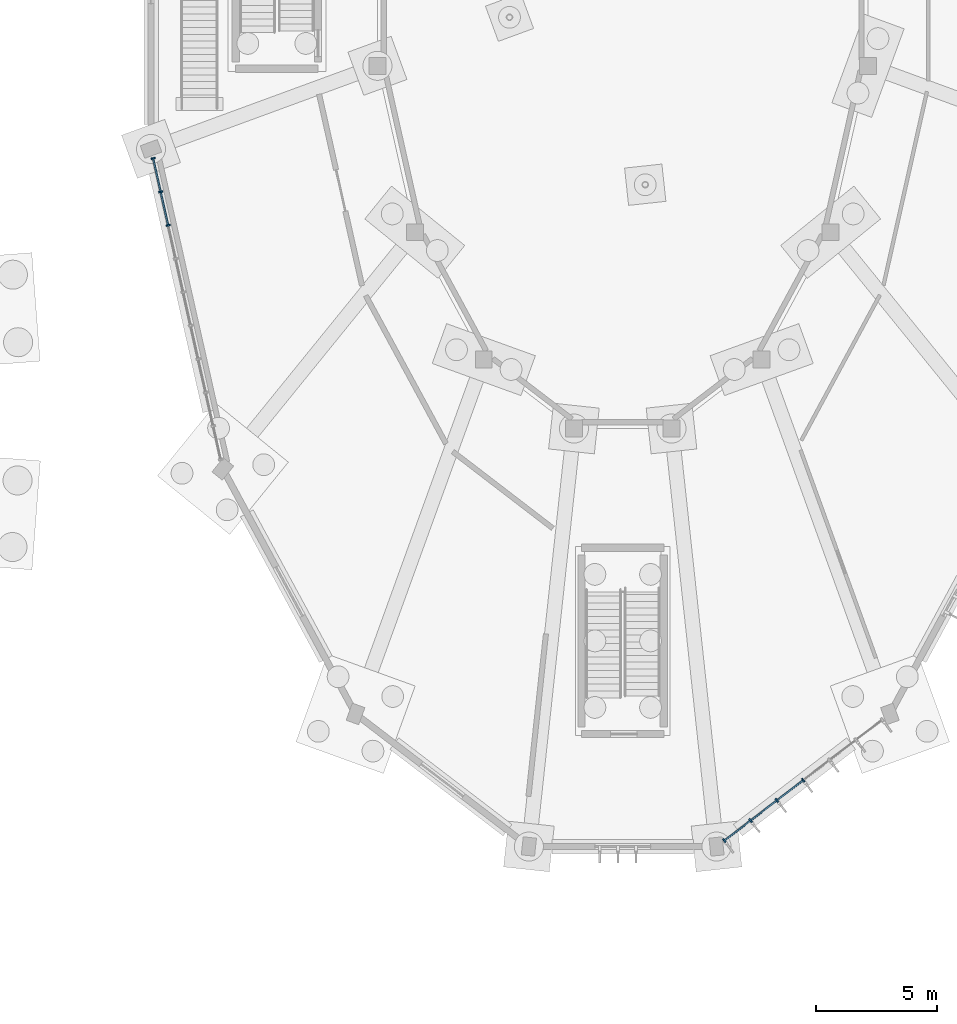
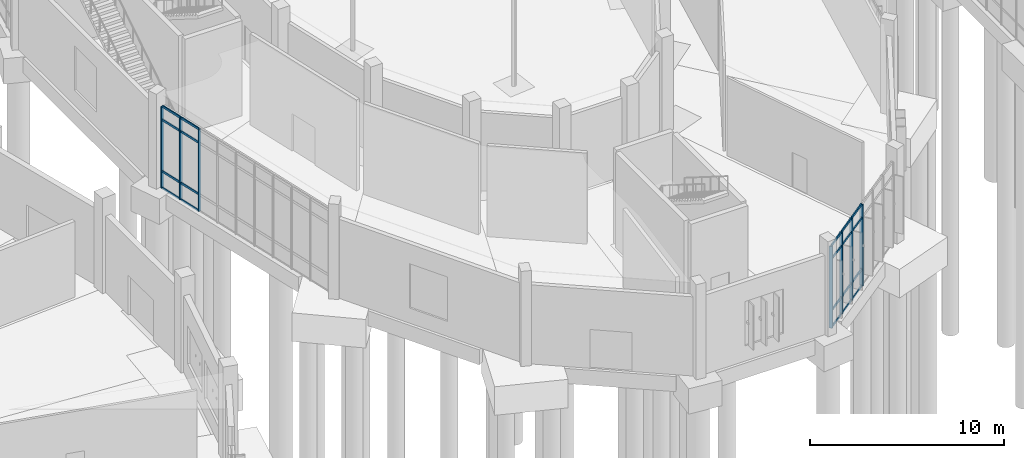
# One storey, part 42 of 140: 27 members, 2 elements without a shape of their own.
"""IFC4 building model written with IfcOpenShell, lengths in metres."""

from ifc_helpers import new_model, si_unit, direction, frame, origin, origin_2d, place, context, subcontext, project, spatial, rectangle, extrude, material, layer, layer_set, material_profile, profile_set, type_object, element, aggregate, save


model = new_model("IFC4")

# Units and contexts
model_context = context("Model", 3, precision=1e-05, world=origin(), true_north=direction((0.0, 1.0)))
body_context = subcontext(model_context, "Body", "Model", "MODEL_VIEW")
ifc_project = project(units=[si_unit("LENGTHUNIT", "METRE"), si_unit("AREAUNIT", "SQUARE_METRE"), si_unit("VOLUMEUNIT", "CUBIC_METRE"), si_unit("PLANEANGLEUNIT", "RADIAN"), si_unit("MASSUNIT", "GRAM", prefix="KILO")], contexts=[model_context])

# Site, building, storey
site_placement = place(None, origin())
site = spatial("IfcSite", under=ifc_project, at=site_placement, CompositionType="ELEMENT")
building_placement = place(site_placement, origin())
building = spatial("IfcBuilding", under=site, at=building_placement, Name="Corvandel Quay Wholesale Market", CompositionType="ELEMENT")
storey_placement = place(building_placement, origin())
storey = spatial("IfcBuildingStorey", under=building, at=storey_placement, Name="L00", CompositionType="ELEMENT", Elevation=0.0)

# Curtain wall, members
ifc_material_1 = material(Name="Bronze anodised aluminium and low-E insulated glazing", Category="aluminium")
ifc_layer_1 = layer(ifc_material_1, 0.14990234375)
ifc_layer_set_1 = layer_set([ifc_layer_1], Name="Bronze anodised aluminium and low-E insulated glazing")
curtain_wall_type_1 = type_object("IfcCurtainWallType", Name="Stick Curtain Wall System CW10 H3900", PredefinedType="NOTDEFINED", material=ifc_layer_set_1)
curtain_wall_1_placement = place(storey_placement, origin())
curtain_wall_1 = element("IfcCurtainWall", 1, at=curtain_wall_1_placement, inside=storey, type_object=curtain_wall_type_1, Name="Curtain Wall CW-0136", PredefinedType="NOTDEFINED")
ifc_material_2 = material(Name="Anodised aluminium 6063-T6", Category="aluminium")
ifc_material_profile_1 = material_profile(ifc_material_2, rectangle(XDim=0.06494140625, YDim=0.179931640625, at=origin_2d()), Name="ALU-MUL-65x180")
ifc_profile_set_1 = profile_set([ifc_material_profile_1], Name="Anodised aluminium 6063-T6")
member_type_1 = type_object("IfcMemberType", Name="Curtain Wall Mullion ML01 65x180", PredefinedType="MULLION", material=ifc_profile_set_1)
member_1_placement = place(storey_placement, frame((175.087646484375, 52.44873046875, 0.0), z_axis=(0.0, 0.0, 1.0), x_axis=(-0.218994806262, 0.975726024471, 0.0)))
member_1 = element("IfcMember", 2, at=member_1_placement, type_object=member_type_1, Name="Mullion CW-0136-M00", PredefinedType="MULLION", context=body_context, shape_type="SweptSolid", body=[
    extrude(rectangle(XDim=0.06494140625, YDim=0.179931640625, at=origin_2d()), origin(), (0.0, 0.0, 1.0), 5.14990234375),
])
member_2_placement = place(storey_placement, frame((175.39794921875, 51.065185546875, 0.0), z_axis=(0.0, 0.0, 1.0), x_axis=(-0.218994806262, 0.975726024471, 0.0)))
member_2 = element("IfcMember", 3, at=member_2_placement, type_object=member_type_1, Name="Mullion CW-0136-M01", PredefinedType="MULLION", context=body_context, shape_type="SweptSolid", body=[
    extrude(rectangle(XDim=0.06494140625, YDim=0.179931640625, at=origin_2d()), origin(), (0.0, 0.0, 1.0), 5.14990234375),
])
member_3_placement = place(storey_placement, frame((175.70849609375, 49.681884765625, 0.0), z_axis=(0.0, 0.0, 1.0), x_axis=(-0.218994806262, 0.975726024471, 0.0)))
member_3 = element("IfcMember", 4, at=member_3_placement, type_object=member_type_1, Name="Mullion CW-0136-M02", PredefinedType="MULLION", context=body_context, shape_type="SweptSolid", body=[
    extrude(rectangle(XDim=0.06494140625, YDim=0.179931640625, at=origin_2d()), origin(), (0.0, 0.0, 1.0), 5.14990234375),
])

ifc_layer_2 = layer(ifc_material_1, 0.197998046875)
ifc_layer_set_2 = layer_set([ifc_layer_2], Name="Bronze anodised aluminium and low-E insulated glazing")
curtain_wall_type_2 = type_object("IfcCurtainWallType", Name="Stick Curtain Wall System CW14 H4260", PredefinedType="NOTDEFINED", material=ifc_layer_set_2)
curtain_wall_2_placement = place(storey_placement, origin())
curtain_wall_2 = element("IfcCurtainWall", 5, at=curtain_wall_2_placement, inside=storey, type_object=curtain_wall_type_2, Name="Curtain Wall CW-0139", PredefinedType="NOTDEFINED")
member_4_placement = place(storey_placement, frame((198.69677734375, 24.242919921875, 0.0), z_axis=(0.0, 0.0, 1.0), x_axis=(0.794308601354, 0.607514481979, 0.0)))
member_4 = element("IfcMember", 6, at=member_4_placement, type_object=member_type_1, Name="Mullion CW-0139-M00", PredefinedType="MULLION", context=body_context, shape_type="SweptSolid", body=[
    extrude(rectangle(XDim=0.06494140625, YDim=0.179931640625, at=origin_2d()), origin(), (0.0, 0.0, 1.0), 5.14990234375),
])
member_5_placement = place(storey_placement, frame((199.785400390625, 25.075439453125, 0.0), z_axis=(0.0, 0.0, 1.0), x_axis=(0.794308601354, 0.607514481979, 0.0)))
member_5 = element("IfcMember", 7, at=member_5_placement, type_object=member_type_1, Name="Mullion CW-0139-M01", PredefinedType="MULLION", context=body_context, shape_type="SweptSolid", body=[
    extrude(rectangle(XDim=0.06494140625, YDim=0.179931640625, at=origin_2d()), origin(), (0.0, 0.0, 1.0), 5.14990234375),
])
member_6_placement = place(storey_placement, frame((200.873779296875, 25.907958984375, 0.0), z_axis=(0.0, 0.0, 1.0), x_axis=(0.794308601354, 0.607514481979, 0.0)))
member_6 = element("IfcMember", 8, at=member_6_placement, type_object=member_type_1, Name="Mullion CW-0139-M02", PredefinedType="MULLION", context=body_context, shape_type="SweptSolid", body=[
    extrude(rectangle(XDim=0.06494140625, YDim=0.179931640625, at=origin_2d()), origin(), (0.0, 0.0, 1.0), 5.14990234375),
])
member_7_placement = place(storey_placement, frame((201.96240234375, 26.740478515625, 0.0), z_axis=(0.0, 0.0, 1.0), x_axis=(0.794308601354, 0.607514481979, 0.0)))
member_7 = element("IfcMember", 9, at=member_7_placement, type_object=member_type_1, Name="Mullion CW-0139-M03", PredefinedType="MULLION", context=body_context, shape_type="SweptSolid", body=[
    extrude(rectangle(XDim=0.06494140625, YDim=0.179931640625, at=origin_2d()), origin(), (0.0, 0.0, 1.0), 5.14990234375),
])

# Member
ifc_material_profile_2 = material_profile(ifc_material_2, rectangle(XDim=0.06494140625, YDim=0.139892578125, at=origin_2d()), Name="ALU-TRN-65x140")
ifc_profile_set_2 = profile_set([ifc_material_profile_2], Name="Anodised aluminium 6063-T6")
member_type_2 = type_object("IfcMemberType", Name="Curtain Wall Transom TR01 65x140", PredefinedType="USERDEFINED", material=ifc_profile_set_2)
member_8_placement = place(storey_placement, frame((175.0947265625, 52.4169921875, 0.0), z_axis=(0.2188980935, -0.975747725932, 0.0), x_axis=(0.975747725932, 0.2188980935, 0.0)))
member_8 = element("IfcMember", 10, at=member_8_placement, type_object=member_type_2, Name="Transom CW-0136-T00-0", ObjectType="TRANSOM", PredefinedType="USERDEFINED", context=body_context, shape_type="SweptSolid", body=[
    extrude(rectangle(XDim=0.06494140625, YDim=0.139892578125, at=origin_2d()), origin(), (0.0, 0.0, 1.0), 1.352783203125),
])

member_9_placement = place(storey_placement, frame((175.0947265625, 52.4169921875, 1.050048828125), z_axis=(0.2188980935, -0.975747725932, 0.0), x_axis=(0.975747725932, 0.2188980935, 0.0)))
member_9 = element("IfcMember", 11, at=member_9_placement, type_object=member_type_2, Name="Transom CW-0136-T00-1", ObjectType="TRANSOM", PredefinedType="USERDEFINED", context=body_context, shape_type="SweptSolid", body=[
    extrude(rectangle(XDim=0.06494140625, YDim=0.139892578125, at=origin_2d()), origin(), (0.0, 0.0, 1.0), 1.352783203125),
])

member_10_placement = place(storey_placement, frame((175.0947265625, 52.4169921875, 4.300048828125), z_axis=(0.2188980935, -0.975747725932, 0.0), x_axis=(0.975747725932, 0.2188980935, 0.0)))
member_10 = element("IfcMember", 12, at=member_10_placement, type_object=member_type_2, Name="Transom CW-0136-T00-2", ObjectType="TRANSOM", PredefinedType="USERDEFINED", context=body_context, shape_type="SweptSolid", body=[
    extrude(rectangle(XDim=0.06494140625, YDim=0.139892578125, at=origin_2d()), origin(), (0.0, 0.0, 1.0), 1.352783203125),
])

member_11_placement = place(storey_placement, frame((175.0947265625, 52.4169921875, 5.14990234375), z_axis=(0.2188980935, -0.975747725932, 0.0), x_axis=(0.975747725932, 0.2188980935, 0.0)))
member_11 = element("IfcMember", 13, at=member_11_placement, type_object=member_type_2, Name="Transom CW-0136-T00-3", ObjectType="TRANSOM", PredefinedType="USERDEFINED", context=body_context, shape_type="SweptSolid", body=[
    extrude(rectangle(XDim=0.06494140625, YDim=0.139892578125, at=origin_2d()), origin(), (0.0, 0.0, 1.0), 1.352783203125),
])

member_12_placement = place(storey_placement, frame((175.405029296875, 51.03369140625, 0.0), z_axis=(0.219069896418, -0.975709167982, 0.0), x_axis=(0.975709167982, 0.219069896418, 0.0)))
member_12 = element("IfcMember", 14, at=member_12_placement, type_object=member_type_2, Name="Transom CW-0136-T01-0", ObjectType="TRANSOM", PredefinedType="USERDEFINED", context=body_context, shape_type="SweptSolid", body=[
    extrude(rectangle(XDim=0.06494140625, YDim=0.139892578125, at=origin_2d()), origin(), (0.0, 0.0, 1.0), 1.35302734375),
])

member_13_placement = place(storey_placement, frame((175.405029296875, 51.03369140625, 1.050048828125), z_axis=(0.219069896418, -0.975709167982, 0.0), x_axis=(0.975709167982, 0.219069896418, 0.0)))
member_13 = element("IfcMember", 15, at=member_13_placement, type_object=member_type_2, Name="Transom CW-0136-T01-1", ObjectType="TRANSOM", PredefinedType="USERDEFINED", context=body_context, shape_type="SweptSolid", body=[
    extrude(rectangle(XDim=0.06494140625, YDim=0.139892578125, at=origin_2d()), origin(), (0.0, 0.0, 1.0), 1.35302734375),
])

member_14_placement = place(storey_placement, frame((175.405029296875, 51.03369140625, 4.300048828125), z_axis=(0.219069896418, -0.975709167982, 0.0), x_axis=(0.975709167982, 0.219069896418, 0.0)))
member_14 = element("IfcMember", 16, at=member_14_placement, type_object=member_type_2, Name="Transom CW-0136-T01-2", ObjectType="TRANSOM", PredefinedType="USERDEFINED", context=body_context, shape_type="SweptSolid", body=[
    extrude(rectangle(XDim=0.06494140625, YDim=0.139892578125, at=origin_2d()), origin(), (0.0, 0.0, 1.0), 1.35302734375),
])

member_15_placement = place(storey_placement, frame((175.405029296875, 51.03369140625, 5.14990234375), z_axis=(0.219069896418, -0.975709167982, 0.0), x_axis=(0.975709167982, 0.219069896418, 0.0)))
member_15 = element("IfcMember", 17, at=member_15_placement, type_object=member_type_2, Name="Transom CW-0136-T01-3", ObjectType="TRANSOM", PredefinedType="USERDEFINED", context=body_context, shape_type="SweptSolid", body=[
    extrude(rectangle(XDim=0.06494140625, YDim=0.139892578125, at=origin_2d()), origin(), (0.0, 0.0, 1.0), 1.35302734375),
])

aggregate(curtain_wall_1, [member_1, member_2, member_3, member_8, member_9, member_10, member_11, member_12, member_13, member_14, member_15])

member_16_placement = place(storey_placement, frame((198.72265625, 24.2626953125, 0.0), z_axis=(0.794331288163, 0.607484818449, 0.0), x_axis=(-0.607484818449, 0.794331288163, 0.0)))
member_16 = element("IfcMember", 18, at=member_16_placement, type_object=member_type_2, Name="Transom CW-0139-T00-0", ObjectType="TRANSOM", PredefinedType="USERDEFINED", context=body_context, shape_type="SweptSolid", body=[
    extrude(rectangle(XDim=0.06494140625, YDim=0.139892578125, at=origin_2d()), origin(), (0.0, 0.0, 1.0), 1.305419921875),
])

member_17_placement = place(storey_placement, frame((198.72265625, 24.2626953125, 1.050048828125), z_axis=(0.794331288163, 0.607484818449, 0.0), x_axis=(-0.607484818449, 0.794331288163, 0.0)))
member_17 = element("IfcMember", 19, at=member_17_placement, type_object=member_type_2, Name="Transom CW-0139-T00-1", ObjectType="TRANSOM", PredefinedType="USERDEFINED", context=body_context, shape_type="SweptSolid", body=[
    extrude(rectangle(XDim=0.06494140625, YDim=0.139892578125, at=origin_2d()), origin(), (0.0, 0.0, 1.0), 1.305419921875),
])

member_18_placement = place(storey_placement, frame((198.72265625, 24.2626953125, 4.300048828125), z_axis=(0.794331288163, 0.607484818449, 0.0), x_axis=(-0.607484818449, 0.794331288163, 0.0)))
member_18 = element("IfcMember", 20, at=member_18_placement, type_object=member_type_2, Name="Transom CW-0139-T00-2", ObjectType="TRANSOM", PredefinedType="USERDEFINED", context=body_context, shape_type="SweptSolid", body=[
    extrude(rectangle(XDim=0.06494140625, YDim=0.139892578125, at=origin_2d()), origin(), (0.0, 0.0, 1.0), 1.305419921875),
])

member_19_placement = place(storey_placement, frame((198.72265625, 24.2626953125, 5.14990234375), z_axis=(0.794331288163, 0.607484818449, 0.0), x_axis=(-0.607484818449, 0.794331288163, 0.0)))
member_19 = element("IfcMember", 21, at=member_19_placement, type_object=member_type_2, Name="Transom CW-0139-T00-3", ObjectType="TRANSOM", PredefinedType="USERDEFINED", context=body_context, shape_type="SweptSolid", body=[
    extrude(rectangle(XDim=0.06494140625, YDim=0.139892578125, at=origin_2d()), origin(), (0.0, 0.0, 1.0), 1.305419921875),
])

member_20_placement = place(storey_placement, frame((199.811279296875, 25.09521484375, 0.0), z_axis=(0.794331288163, 0.607484818449, 0.0), x_axis=(-0.607484818449, 0.794331288163, 0.0)))
member_20 = element("IfcMember", 22, at=member_20_placement, type_object=member_type_2, Name="Transom CW-0139-T01-0", ObjectType="TRANSOM", PredefinedType="USERDEFINED", context=body_context, shape_type="SweptSolid", body=[
    extrude(rectangle(XDim=0.06494140625, YDim=0.139892578125, at=origin_2d()), origin(), (0.0, 0.0, 1.0), 1.305419921875),
])

member_21_placement = place(storey_placement, frame((199.811279296875, 25.09521484375, 1.050048828125), z_axis=(0.794331288163, 0.607484818449, 0.0), x_axis=(-0.607484818449, 0.794331288163, 0.0)))
member_21 = element("IfcMember", 23, at=member_21_placement, type_object=member_type_2, Name="Transom CW-0139-T01-1", ObjectType="TRANSOM", PredefinedType="USERDEFINED", context=body_context, shape_type="SweptSolid", body=[
    extrude(rectangle(XDim=0.06494140625, YDim=0.139892578125, at=origin_2d()), origin(), (0.0, 0.0, 1.0), 1.305419921875),
])

member_22_placement = place(storey_placement, frame((199.811279296875, 25.09521484375, 4.300048828125), z_axis=(0.794331288163, 0.607484818449, 0.0), x_axis=(-0.607484818449, 0.794331288163, 0.0)))
member_22 = element("IfcMember", 24, at=member_22_placement, type_object=member_type_2, Name="Transom CW-0139-T01-2", ObjectType="TRANSOM", PredefinedType="USERDEFINED", context=body_context, shape_type="SweptSolid", body=[
    extrude(rectangle(XDim=0.06494140625, YDim=0.139892578125, at=origin_2d()), origin(), (0.0, 0.0, 1.0), 1.305419921875),
])

member_23_placement = place(storey_placement, frame((199.811279296875, 25.09521484375, 5.14990234375), z_axis=(0.794331288163, 0.607484818449, 0.0), x_axis=(-0.607484818449, 0.794331288163, 0.0)))
member_23 = element("IfcMember", 25, at=member_23_placement, type_object=member_type_2, Name="Transom CW-0139-T01-3", ObjectType="TRANSOM", PredefinedType="USERDEFINED", context=body_context, shape_type="SweptSolid", body=[
    extrude(rectangle(XDim=0.06494140625, YDim=0.139892578125, at=origin_2d()), origin(), (0.0, 0.0, 1.0), 1.305419921875),
])

member_24_placement = place(storey_placement, frame((200.899658203125, 25.927734375, 0.0), z_axis=(0.794400295217, 0.607394576004, 0.0), x_axis=(-0.607394576004, 0.794400295217, 0.0)))
member_24 = element("IfcMember", 26, at=member_24_placement, type_object=member_type_2, Name="Transom CW-0139-T02-0", ObjectType="TRANSOM", PredefinedType="USERDEFINED", context=body_context, shape_type="SweptSolid", body=[
    extrude(rectangle(XDim=0.06494140625, YDim=0.139892578125, at=origin_2d()), origin(), (0.0, 0.0, 1.0), 1.305419921875),
])

member_25_placement = place(storey_placement, frame((200.899658203125, 25.927734375, 1.050048828125), z_axis=(0.794400295217, 0.607394576004, 0.0), x_axis=(-0.607394576004, 0.794400295217, 0.0)))
member_25 = element("IfcMember", 27, at=member_25_placement, type_object=member_type_2, Name="Transom CW-0139-T02-1", ObjectType="TRANSOM", PredefinedType="USERDEFINED", context=body_context, shape_type="SweptSolid", body=[
    extrude(rectangle(XDim=0.06494140625, YDim=0.139892578125, at=origin_2d()), origin(), (0.0, 0.0, 1.0), 1.305419921875),
])

member_26_placement = place(storey_placement, frame((200.899658203125, 25.927734375, 4.300048828125), z_axis=(0.794400295217, 0.607394576004, 0.0), x_axis=(-0.607394576004, 0.794400295217, 0.0)))
member_26 = element("IfcMember", 28, at=member_26_placement, type_object=member_type_2, Name="Transom CW-0139-T02-2", ObjectType="TRANSOM", PredefinedType="USERDEFINED", context=body_context, shape_type="SweptSolid", body=[
    extrude(rectangle(XDim=0.06494140625, YDim=0.139892578125, at=origin_2d()), origin(), (0.0, 0.0, 1.0), 1.305419921875),
])

member_27_placement = place(storey_placement, frame((200.899658203125, 25.927734375, 5.14990234375), z_axis=(0.794400295217, 0.607394576004, 0.0), x_axis=(-0.607394576004, 0.794400295217, 0.0)))
member_27 = element("IfcMember", 29, at=member_27_placement, type_object=member_type_2, Name="Transom CW-0139-T02-3", ObjectType="TRANSOM", PredefinedType="USERDEFINED", context=body_context, shape_type="SweptSolid", body=[
    extrude(rectangle(XDim=0.06494140625, YDim=0.139892578125, at=origin_2d()), origin(), (0.0, 0.0, 1.0), 1.305419921875),
])

aggregate(curtain_wall_2, [member_4, member_5, member_6, member_7, member_16, member_17, member_18, member_19, member_20, member_21, member_22, member_23, member_24, member_25, member_26, member_27])

save(model, "model.ifc")
